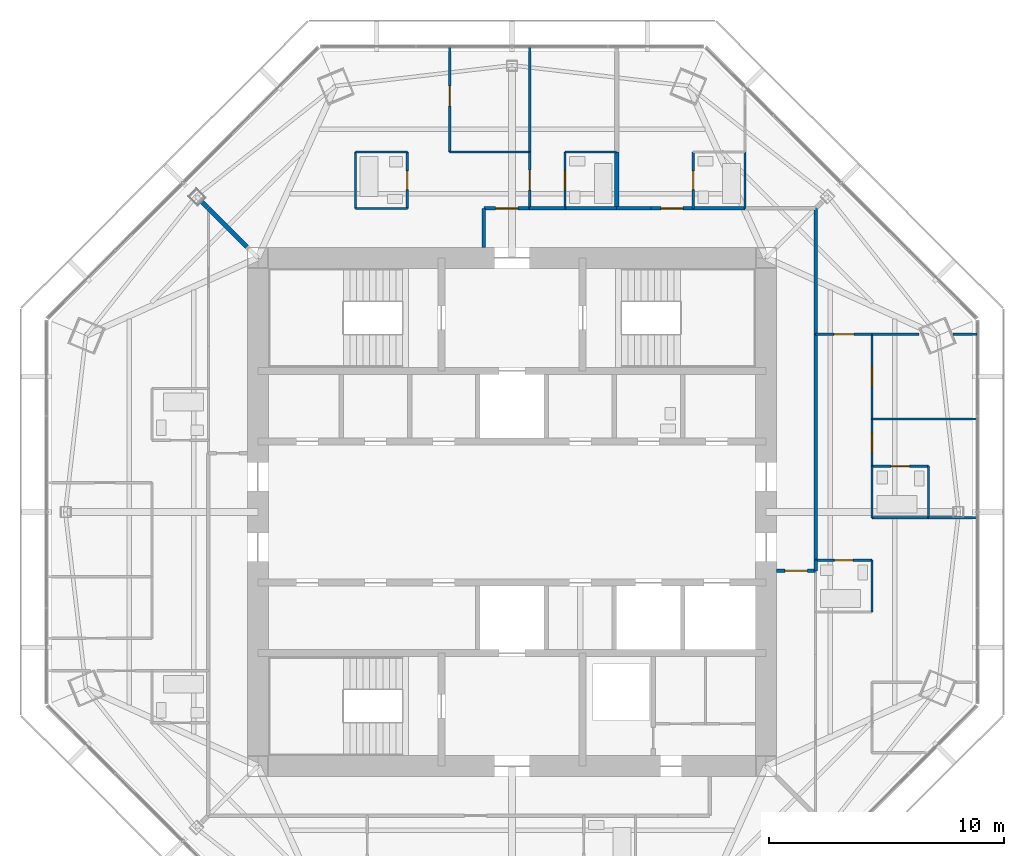
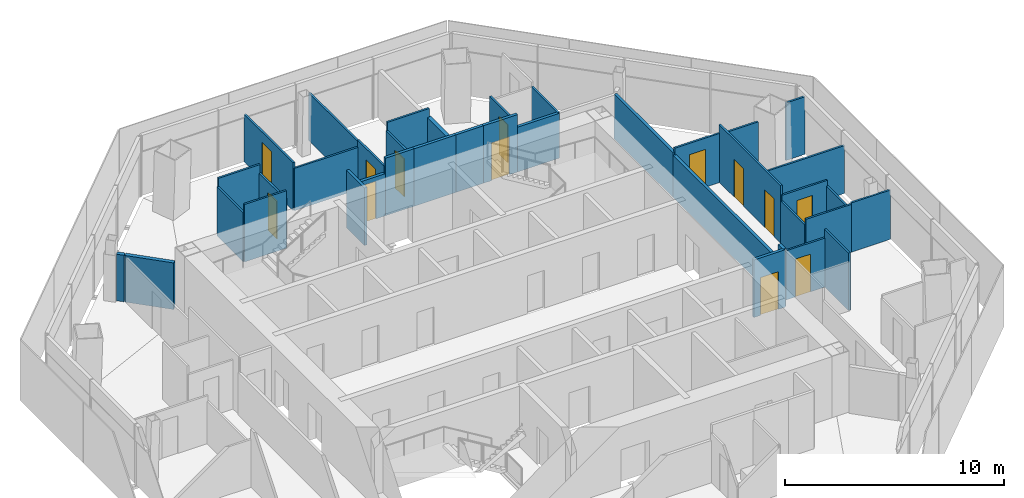
# One storey, part 11 of 15: 38 walls, 13 doors, 13 openings.
"""IFC4 building model written with IfcOpenShell, lengths in metres."""

from ifc_helpers import new_model, si_unit, direction, frame, frame_2d, origin, place, context, subcontext, project, spatial, rectangle, extrude, material, layer, layer_set, type_object, element, fill, save


model = new_model("IFC4")

# Units and contexts
model_context = context("Model", 3, precision=1e-05, world=origin(), true_north=direction((0.0, 1.0)))
body_context = subcontext(model_context, "Body", "Model", "MODEL_VIEW")
ifc_project = project(units=[si_unit("LENGTHUNIT", "METRE"), si_unit("AREAUNIT", "SQUARE_METRE"), si_unit("VOLUMEUNIT", "CUBIC_METRE"), si_unit("PLANEANGLEUNIT", "RADIAN"), si_unit("MASSUNIT", "GRAM", prefix="KILO")], contexts=[model_context])

# Site, building, storey
site_placement = place(None, origin())
site = spatial("IfcSite", under=ifc_project, at=site_placement, CompositionType="ELEMENT")
building_placement = place(site_placement, origin())
building = spatial("IfcBuilding", under=site, at=building_placement, Name="Mashrafa Tower", CompositionType="ELEMENT")
storey_placement = place(building_placement, frame((0.0, 0.0, 291.199951171875)))
storey = spatial("IfcBuildingStorey", under=building, at=storey_placement, Name="L71", CompositionType="ELEMENT", Elevation=291.199951171875)

# Walls
ifc_material_1 = material(Name="Gypsum board on steel studs", Category="steel")
ifc_layer_1 = layer(ifc_material_1, 0.199951171875)
ifc_layer_set_1 = layer_set([ifc_layer_1], Name="Acoustic partition 200 1 hr")
wall_type_1 = type_object("IfcWallType", Name="Acoustic partition 200 1 hr", PredefinedType="PARTITIONING", material=ifc_layer_set_1)
wall_1_placement = place(storey_placement, frame((4.449951171875, 15.300048828125, 0.0), z_axis=(0.0, 0.0, 1.0), x_axis=(0.0, -1.0, 0.0)))
element("IfcWall", 1, at=wall_1_placement, inside=storey, type_object=wall_type_1, Name="Acoustic wall L71-053", PredefinedType="PARTITIONING", context=body_context, shape_type="SweptSolid", body=[
    extrude(rectangle(XDim=2.400146484375, YDim=0.199951171875, at=frame_2d((1.2001953125, 0.0))), origin(), (0.0, 0.0, 1.0), 2.73046875),
])
wall_2_placement = place(storey_placement, frame((-13.17822265625, 13.17822265625, 0.0), z_axis=(0.0, 0.0, 1.0), x_axis=(0.707106781187, -0.707106781187, 0.0)))
element("IfcWall", 2, at=wall_2_placement, inside=storey, type_object=wall_type_1, Name="Acoustic wall L71-065", PredefinedType="PARTITIONING", context=body_context, shape_type="SweptSolid", body=[
    extrude(rectangle(XDim=0.358154296875, YDim=0.199951171875, at=frame_2d((0.17919921875, 0.0))), origin(), (0.0, 0.0, 1.0), 2.590576171875),
])
wall_3_placement = place(storey_placement, frame((-12.90087890625, 12.90087890625, 0.0), z_axis=(0.0, 0.0, 1.0), x_axis=(0.707106781187, -0.707106781187, 0.0)))
element("IfcWall", 3, at=wall_3_placement, inside=storey, type_object=wall_type_1, Name="Acoustic wall L71-066", PredefinedType="PARTITIONING", context=body_context, shape_type="SweptSolid", body=[
    extrude(rectangle(XDim=2.307861328125, YDim=0.199951171875, at=frame_2d((1.15380859375, 0.0))), origin(), (0.0, 0.0, 1.0), 2.590576171875),
])
ifc_material_2 = material(Name="Gypsum board on steel studs", Category="steel")
ifc_layer_2 = layer(ifc_material_2, 0.14990234375)
ifc_layer_set_2 = layer_set([ifc_layer_2], Name="Corridor partition 150 1 hr")
wall_type_2 = type_object("IfcWallType", Name="Corridor partition 150 1 hr", PredefinedType="PARTITIONING", material=ifc_layer_set_2)
wall_4_placement = place(storey_placement, frame((12.89990234375, -2.5, 0.0), z_axis=(0.0, 0.0, 1.0), x_axis=(0.0, 1.0, 0.0)))
element("IfcWall", 4, at=wall_4_placement, inside=storey, type_object=wall_type_2, Name="Corridor wall L71-001", PredefinedType="PARTITIONING", context=body_context, shape_type="SweptSolid", body=[
    extrude(rectangle(XDim=0.450927734375, YDim=0.14990234375, at=frame_2d((0.2255859375, 0.0))), origin(), (0.0, 0.0, 1.0), 3.199951171875),
])
wall_5_placement = place(storey_placement, frame((12.89990234375, 7.549072265625, 0.0), z_axis=(0.0, 0.0, 1.0), x_axis=(0.0, 1.0, 0.0)))
element("IfcWall", 5, at=wall_5_placement, inside=storey, type_object=wall_type_2, Name="Corridor wall L71-002", PredefinedType="PARTITIONING", context=body_context, shape_type="SweptSolid", body=[
    extrude(rectangle(XDim=5.350830078125, YDim=0.14990234375, at=frame_2d((2.67529296875, 0.0))), origin(), (0.0, 0.0, 1.0), 2.49658203125),
])
wall_6_placement = place(storey_placement, frame((12.89990234375, -2.051025390625, 0.0), z_axis=(0.0, 0.0, 1.0), x_axis=(0.0, 1.0, 0.0)))
element("IfcWall", 6, at=wall_6_placement, inside=storey, type_object=wall_type_2, Name="Corridor wall L71-003", PredefinedType="PARTITIONING", context=body_context, shape_type="SweptSolid", body=[
    extrude(rectangle(XDim=9.60205078125, YDim=0.14990234375, at=frame_2d((4.801025390625, 0.0))), origin(), (0.0, 0.0, 1.0), 2.349365234375),
])
wall_7_placement = place(storey_placement, frame((9.90087890625, 12.89990234375, 0.0), z_axis=(0.0, 0.0, 1.0), x_axis=(-1.0, 0.0, 0.0)))
element("IfcWall", 7, at=wall_7_placement, inside=storey, type_object=wall_type_2, Name="Corridor wall L71-005", PredefinedType="PARTITIONING", context=body_context, shape_type="SweptSolid", body=[
    extrude(rectangle(XDim=2.201904296875, YDim=0.14990234375, at=frame_2d((1.10107421875, 0.0))), origin(), (0.0, 0.0, 1.0), 2.49658203125),
])
wall_8_placement = place(storey_placement, frame((5.90087890625, 12.89990234375, 0.0), z_axis=(0.0, 0.0, 1.0), x_axis=(-1.0, 0.0, 0.0)))
element("IfcWall", 8, at=wall_8_placement, inside=storey, type_object=wall_type_2, Name="Corridor wall L71-006", PredefinedType="PARTITIONING", context=body_context, shape_type="SweptSolid", body=[
    extrude(rectangle(XDim=1.451904296875, YDim=0.14990234375, at=frame_2d((0.72607421875, 0.0))), origin(), (0.0, 0.0, 1.0), 3.199951171875),
])

# Wall, opening, door
wall_9_placement = place(storey_placement, frame((7.700927734375, 12.89990234375, 0.0), z_axis=(0.0, 0.0, 1.0), x_axis=(-1.0, 0.0, 0.0)))
wall_9 = element("IfcWall", 9, at=wall_9_placement, inside=storey, type_object=wall_type_2, Name="Corridor wall L71-007", PredefinedType="PARTITIONING", context=body_context, shape_type="SweptSolid", body=[
    extrude(rectangle(XDim=1.802001953125, YDim=0.14990234375, at=frame_2d((0.90087890625, 0.0))), origin(), (0.0, 0.0, 1.0), 3.199951171875),
])
opening_1_placement = place(wall_9_placement, frame((0.426025390625, 0.0, 0.0)))
opening_1 = element("IfcOpeningElement", 10, at=opening_1_placement, cuts=wall_9, Name="Opening 71.011", PredefinedType="OPENING", context=body_context, shape_type="SweptSolid", body=[
    extrude(rectangle(XDim=0.949951171875, YDim=2.10009765625, at=frame_2d((0.47509765625, 1.050048828125))), frame((0.0, 0.0849609375, 0.0), z_axis=(0.0, -1.0, 0.0), x_axis=(1.0, 0.0, 0.0)), (0.0, 0.0, 1.0), 0.169921875),
])
ifc_material_3 = material(Name="Steel door", Category="steel")
door_type_1 = type_object("IfcDoorType", Name="Residence entrance door 950 x 2100 20 min", OperationType="USERDEFINED", PredefinedType="DOOR", material=ifc_material_3)
door_1_placement = place(opening_1_placement, frame((0.949951171875, 0.0, 0.0), z_axis=(0.0, 0.0, 1.0), x_axis=(-1.0, 0.0, 0.0)))
door_1 = element("IfcDoor", 11, at=door_1_placement, inside=storey, type_object=door_type_1, Name="Apartment 7102 Living Room door", OperationType="SINGLE_SWING_LEFT", OverallHeight=2.10009765625, OverallWidth=0.949951171875, PredefinedType="DOOR", context=body_context, shape_type="SweptSolid", body=[
    extrude(rectangle(XDim=0.949951171875, YDim=2.10009765625, at=frame_2d((0.47509765625, 1.050048828125))), frame((0.0, 0.02490234375, 0.0), z_axis=(0.0, -1.0, 0.0), x_axis=(1.0, 0.0, 0.0)), (0.0, 0.0, 1.0), 0.050048828125),
])
fill(opening_1, door_1)

# Walls
wall_10_placement = place(storey_placement, frame((4.450927734375, 12.89990234375, 0.0), z_axis=(0.0, 0.0, 1.0), x_axis=(-1.0, 0.0, 0.0)))
element("IfcWall", 12, at=wall_10_placement, inside=storey, type_object=wall_type_2, Name="Corridor wall L71-008", PredefinedType="PARTITIONING", context=body_context, shape_type="SweptSolid", body=[
    extrude(rectangle(XDim=2.201904296875, YDim=0.14990234375, at=frame_2d((1.10107421875, 0.0))), origin(), (0.0, 0.0, 1.0), 3.199951171875),
])
wall_11_placement = place(storey_placement, frame((2.2509765625, 12.89990234375, 0.0), z_axis=(0.0, 0.0, 1.0), x_axis=(-1.0, 0.0, 0.0)))
element("IfcWall", 13, at=wall_11_placement, inside=storey, type_object=wall_type_2, Name="Corridor wall L71-009", PredefinedType="PARTITIONING", context=body_context, shape_type="SweptSolid", body=[
    extrude(rectangle(XDim=1.501953125, YDim=0.14990234375, at=frame_2d((0.7509765625, 0.0))), origin(), (0.0, 0.0, 1.0), 3.199951171875),
])

# Wall, opening, door
wall_12_placement = place(storey_placement, frame((0.7509765625, 12.89990234375, 0.0), z_axis=(0.0, 0.0, 1.0), x_axis=(-1.0, 0.0, 0.0)))
wall_12 = element("IfcWall", 14, at=wall_12_placement, inside=storey, type_object=wall_type_2, Name="Corridor wall L71-010", PredefinedType="PARTITIONING", context=body_context, shape_type="SweptSolid", body=[
    extrude(rectangle(XDim=1.950927734375, YDim=0.14990234375, at=frame_2d((0.9755859375, 0.0))), origin(), (0.0, 0.0, 1.0), 2.349365234375),
])
opening_2_placement = place(wall_12_placement, frame((0.50048828125, 0.0, 0.0)))
opening_2 = element("IfcOpeningElement", 15, at=opening_2_placement, cuts=wall_12, Name="Opening 71.016", PredefinedType="OPENING", context=body_context, shape_type="SweptSolid", body=[
    extrude(rectangle(XDim=0.949951171875, YDim=2.10009765625, at=frame_2d((0.47509765625, 1.050048828125))), frame((0.0, 0.0849609375, 0.0), z_axis=(0.0, -1.0, 0.0), x_axis=(1.0, 0.0, 0.0)), (0.0, 0.0, 1.0), 0.169921875),
])
door_2_placement = place(opening_2_placement, frame((0.949951171875, 0.0, 0.0), z_axis=(0.0, 0.0, 1.0), x_axis=(-1.0, 0.0, 0.0)))
door_2 = element("IfcDoor", 16, at=door_2_placement, inside=storey, type_object=door_type_1, Name="Apartment 7103 Living Room door", OperationType="SINGLE_SWING_RIGHT", OverallHeight=2.10009765625, OverallWidth=0.949951171875, PredefinedType="DOOR", context=body_context, shape_type="SweptSolid", body=[
    extrude(rectangle(XDim=0.949951171875, YDim=2.10009765625, at=frame_2d((0.47509765625, 1.050048828125))), frame((0.0, 0.02490234375, 0.0), z_axis=(0.0, -1.0, 0.0), x_axis=(1.0, 0.0, 0.0)), (0.0, 0.0, 1.0), 0.050048828125),
])
fill(opening_2, door_2)

# Wall
wall_13_placement = place(storey_placement, frame((-1.199951171875, 12.89990234375, 0.0), z_axis=(0.0, 0.0, 1.0), x_axis=(0.0, -1.0, 0.0)))
element("IfcWall", 17, at=wall_13_placement, inside=storey, type_object=wall_type_2, Name="Corridor wall L71-011", PredefinedType="PARTITIONING", context=body_context, shape_type="SweptSolid", body=[
    extrude(rectangle(XDim=1.64990234375, YDim=0.14990234375, at=frame_2d((0.824951171875, 0.0))), origin(), (0.0, 0.0, 1.0), 3.199951171875),
])

# Wall, opening, door
wall_14_placement = place(storey_placement, frame((11.25, -2.5, 0.0), z_axis=(0.0, 0.0, 1.0), x_axis=(1.0, 0.0, 0.0)))
wall_14 = element("IfcWall", 18, at=wall_14_placement, inside=storey, type_object=wall_type_2, Name="Corridor wall L71-012", PredefinedType="PARTITIONING", context=body_context, shape_type="SweptSolid", body=[
    extrude(rectangle(XDim=1.64990234375, YDim=0.14990234375, at=frame_2d((0.824951171875, 0.0))), origin(), (0.0, 0.0, 1.0), 3.199951171875),
])
opening_3_placement = place(wall_14_placement, frame((0.35009765625, 0.0, 0.0)))
opening_3 = element("IfcOpeningElement", 19, at=opening_3_placement, cuts=wall_14, Name="Opening 71.028", PredefinedType="OPENING", context=body_context, shape_type="SweptSolid", body=[
    extrude(rectangle(XDim=0.949951171875, YDim=2.10009765625, at=frame_2d((0.47509765625, 1.050048828125))), frame((0.0, 0.0849609375, 0.0), z_axis=(0.0, -1.0, 0.0), x_axis=(1.0, 0.0, 0.0)), (0.0, 0.0, 1.0), 0.169921875),
])
door_3_placement = place(opening_3_placement, origin())
door_3 = element("IfcDoor", 20, at=door_3_placement, inside=storey, type_object=door_type_1, Name="Apartment 7101 Entrance Hall door", OperationType="SINGLE_SWING_RIGHT", OverallHeight=2.10009765625, OverallWidth=0.949951171875, PredefinedType="DOOR", context=body_context, shape_type="SweptSolid", body=[
    extrude(rectangle(XDim=0.949951171875, YDim=2.10009765625, at=frame_2d((0.47509765625, 1.050048828125))), frame((0.0, 0.02490234375, 0.0), z_axis=(0.0, -1.0, 0.0), x_axis=(1.0, 0.0, 0.0)), (0.0, 0.0, 1.0), 0.050048828125),
])
fill(opening_3, door_3)

# Wall
ifc_material_4 = material(Name="Gypsum board on steel studs", Category="steel")
ifc_layer_3 = layer(ifc_material_4, 0.10009765625)
ifc_layer_set_3 = layer_set([ifc_layer_3], Name="Partition 100")
wall_type_3 = type_object("IfcWallType", Name="Partition 100", PredefinedType="PARTITIONING", material=ifc_layer_set_3)
wall_15_placement = place(storey_placement, frame((15.300048828125, -4.25, 0.0), z_axis=(0.0, 0.0, 1.0), x_axis=(0.0, 1.0, 0.0)))
element("IfcWall", 21, at=wall_15_placement, inside=storey, type_object=wall_type_3, Name="Partition wall L71-032", PredefinedType="PARTITIONING", context=body_context, shape_type="SweptSolid", body=[
    extrude(rectangle(XDim=2.199951171875, YDim=0.10009765625, at=frame_2d((1.10009765625, 0.0))), origin(), (0.0, 0.0, 1.0), 3.199951171875),
])

# Wall, opening, door
wall_16_placement = place(storey_placement, frame((15.300048828125, -2.050048828125, 0.0), z_axis=(0.0, 0.0, 1.0), x_axis=(-1.0, 0.0, 0.0)))
wall_16 = element("IfcWall", 22, at=wall_16_placement, inside=storey, type_object=wall_type_3, Name="Partition wall L71-033", PredefinedType="PARTITIONING", context=body_context, shape_type="SweptSolid", body=[
    extrude(rectangle(XDim=2.400146484375, YDim=0.10009765625, at=frame_2d((1.2001953125, 0.0))), origin(), (0.0, 0.0, 1.0), 2.73046875),
])
opening_4_placement = place(wall_16_placement, frame((0.800048828125, 0.0, 0.0)))
opening_4 = element("IfcOpeningElement", 23, at=opening_4_placement, cuts=wall_16, Name="Opening 71.003", PredefinedType="OPENING", context=body_context, shape_type="SweptSolid", body=[
    extrude(rectangle(XDim=0.800048828125, YDim=2.10009765625, at=frame_2d((0.39990234375, 1.050048828125))), frame((0.0, 0.06005859375, 0.0), z_axis=(0.0, -1.0, 0.0), x_axis=(1.0, 0.0, 0.0)), (0.0, 0.0, 1.0), 0.1201171875),
])
ifc_material_5 = material(Name="Timber door", Category="wood")
door_type_2 = type_object("IfcDoorType", Name="Bathroom door 800 x 2100", OperationType="USERDEFINED", PredefinedType="DOOR", material=ifc_material_5)
door_4_placement = place(opening_4_placement, origin())
door_4 = element("IfcDoor", 24, at=door_4_placement, inside=storey, type_object=door_type_2, Name="Apartment 7101 Bathroom door", OperationType="SINGLE_SWING_RIGHT", OverallHeight=2.10009765625, OverallWidth=0.800048828125, PredefinedType="DOOR", context=body_context, shape_type="SweptSolid", body=[
    extrude(rectangle(XDim=0.800048828125, YDim=2.10009765625, at=frame_2d((0.39990234375, 1.050048828125))), frame((0.0, 0.02490234375, 0.0), z_axis=(0.0, -1.0, 0.0), x_axis=(1.0, 0.0, 0.0)), (0.0, 0.0, 1.0), 0.050048828125),
])
fill(opening_4, door_4)

# Wall
wall_17_placement = place(storey_placement, frame((17.699951171875, -0.25, 0.0), z_axis=(0.0, 0.0, 1.0), x_axis=(0.0, 1.0, 0.0)))
element("IfcWall", 25, at=wall_17_placement, inside=storey, type_object=wall_type_3, Name="Partition wall L71-035", PredefinedType="PARTITIONING", context=body_context, shape_type="SweptSolid", body=[
    extrude(rectangle(XDim=2.199951171875, YDim=0.10009765625, at=frame_2d((1.10009765625, 0.0))), origin(), (0.0, 0.0, 1.0), 2.349365234375),
])

# Wall, opening, door
wall_18_placement = place(storey_placement, frame((17.699951171875, 1.949951171875, 0.0), z_axis=(0.0, 0.0, 1.0), x_axis=(-1.0, 0.0, 0.0)))
wall_18 = element("IfcWall", 26, at=wall_18_placement, inside=storey, type_object=wall_type_3, Name="Partition wall L71-036", PredefinedType="PARTITIONING", context=body_context, shape_type="SweptSolid", body=[
    extrude(rectangle(XDim=2.39990234375, YDim=0.10009765625, at=frame_2d((1.199951171875, 0.0))), origin(), (0.0, 0.0, 1.0), 2.661865234375),
])
opening_5_placement = place(wall_18_placement, frame((0.800048828125, 0.0, 0.0)))
opening_5 = element("IfcOpeningElement", 27, at=opening_5_placement, cuts=wall_18, Name="Opening 71.004", PredefinedType="OPENING", context=body_context, shape_type="SweptSolid", body=[
    extrude(rectangle(XDim=0.800048828125, YDim=2.10009765625, at=frame_2d((0.39990234375, 1.050048828125))), frame((0.0, 0.06005859375, 0.0), z_axis=(0.0, -1.0, 0.0), x_axis=(1.0, 0.0, 0.0)), (0.0, 0.0, 1.0), 0.1201171875),
])
door_5_placement = place(opening_5_placement, origin())
door_5 = element("IfcDoor", 28, at=door_5_placement, inside=storey, type_object=door_type_2, Name="Apartment 7101 En-suite Bathroom door", OperationType="SINGLE_SWING_RIGHT", OverallHeight=2.10009765625, OverallWidth=0.800048828125, PredefinedType="DOOR", context=body_context, shape_type="SweptSolid", body=[
    extrude(rectangle(XDim=0.800048828125, YDim=2.10009765625, at=frame_2d((0.39990234375, 1.050048828125))), frame((0.0, 0.02490234375, 0.0), z_axis=(0.0, -1.0, 0.0), x_axis=(1.0, 0.0, 0.0)), (0.0, 0.0, 1.0), 0.050048828125),
])
fill(opening_5, door_5)

# Walls
wall_19_placement = place(storey_placement, frame((15.300048828125, 1.949951171875, 0.0), z_axis=(0.0, 0.0, 1.0), x_axis=(0.0, -1.0, 0.0)))
element("IfcWall", 29, at=wall_19_placement, inside=storey, type_object=wall_type_3, Name="Partition wall L71-037", PredefinedType="PARTITIONING", context=body_context, shape_type="SweptSolid", body=[
    extrude(rectangle(XDim=2.199951171875, YDim=0.10009765625, at=frame_2d((1.10009765625, 0.0))), origin(), (0.0, 0.0, 1.0), 2.349365234375),
])
wall_20_placement = place(storey_placement, frame((15.300048828125, -0.25, 0.0), z_axis=(0.0, 0.0, 1.0), x_axis=(1.0, 0.0, 0.0)))
element("IfcWall", 30, at=wall_20_placement, inside=storey, type_object=wall_type_3, Name="Partition wall L71-038", PredefinedType="PARTITIONING", context=body_context, shape_type="SweptSolid", body=[
    extrude(rectangle(XDim=2.39990234375, YDim=0.10009765625, at=frame_2d((1.199951171875, 0.0))), origin(), (0.0, 0.0, 1.0), 2.661865234375),
])
wall_21_placement = place(storey_placement, frame((19.759033203125, 3.949951171875, 0.0), z_axis=(0.0, 0.0, 1.0), x_axis=(-1.0, 0.0, 0.0)))
element("IfcWall", 31, at=wall_21_placement, inside=storey, type_object=wall_type_3, Name="Partition wall L71-039", PredefinedType="PARTITIONING", context=body_context, shape_type="SweptSolid", body=[
    extrude(rectangle(XDim=4.458984375, YDim=0.10009765625, at=frame_2d((2.2294921875, 0.0))), origin(), (0.0, 0.0, 1.0), 2.661865234375),
])

# Wall, openings, doors
wall_22_placement = place(storey_placement, frame((15.300048828125, 1.949951171875, 0.0), z_axis=(0.0, 0.0, 1.0), x_axis=(0.0, 1.0, 0.0)))
wall_22 = element("IfcWall", 32, at=wall_22_placement, inside=storey, type_object=wall_type_3, Name="Partition wall L71-040", PredefinedType="PARTITIONING", context=body_context, shape_type="SweptSolid", body=[
    extrude(rectangle(XDim=5.60009765625, YDim=0.10009765625, at=frame_2d((2.800048828125, 0.0))), origin(), (0.0, 0.0, 1.0), 3.199951171875),
])
opening_6_placement = place(wall_22_placement, frame((0.574951171875, 0.0, 0.0)))
opening_6 = element("IfcOpeningElement", 33, at=opening_6_placement, cuts=wall_22, Name="Opening 71.005", PredefinedType="OPENING", context=body_context, shape_type="SweptSolid", body=[
    extrude(rectangle(XDim=0.85009765625, YDim=2.10009765625, at=frame_2d((0.425048828125, 1.050048828125))), frame((0.0, 0.06005859375, 0.0), z_axis=(0.0, -1.0, 0.0), x_axis=(1.0, 0.0, 0.0)), (0.0, 0.0, 1.0), 0.1201171875),
])
opening_7_placement = place(wall_22_placement, frame((3.375, 0.0, 0.0)))
opening_7 = element("IfcOpeningElement", 34, at=opening_7_placement, cuts=wall_22, Name="Opening 71.006", PredefinedType="OPENING", context=body_context, shape_type="SweptSolid", body=[
    extrude(rectangle(XDim=0.85009765625, YDim=2.10009765625, at=frame_2d((0.425048828125, 1.050048828125))), frame((0.0, 0.06005859375, 0.0), z_axis=(0.0, -1.0, 0.0), x_axis=(1.0, 0.0, 0.0)), (0.0, 0.0, 1.0), 0.1201171875),
])
ifc_material_6 = material(Name="Timber door", Category="wood")
door_type_3 = type_object("IfcDoorType", Name="Bedroom door 850 x 2100", OperationType="USERDEFINED", PredefinedType="DOOR", material=ifc_material_6)
door_6_placement = place(opening_6_placement, frame((0.85009765625, 0.0, 0.0), z_axis=(0.0, 0.0, 1.0), x_axis=(-1.0, 0.0, 0.0)))
door_6 = element("IfcDoor", 35, at=door_6_placement, inside=storey, type_object=door_type_3, Name="Apartment 7101 Bedroom 1 door", OperationType="SINGLE_SWING_LEFT", OverallHeight=2.10009765625, OverallWidth=0.85009765625, PredefinedType="DOOR", context=body_context, shape_type="SweptSolid", body=[
    extrude(rectangle(XDim=0.85009765625, YDim=2.10009765625, at=frame_2d((0.425048828125, 1.050048828125))), frame((0.0, 0.02490234375, 0.0), z_axis=(0.0, -1.0, 0.0), x_axis=(1.0, 0.0, 0.0)), (0.0, 0.0, 1.0), 0.050048828125),
])
fill(opening_6, door_6)
door_7_placement = place(opening_7_placement, frame((0.85009765625, 0.0, 0.0), z_axis=(0.0, 0.0, 1.0), x_axis=(-1.0, 0.0, 0.0)))
door_7 = element("IfcDoor", 36, at=door_7_placement, inside=storey, type_object=door_type_3, Name="Apartment 7101 Bedroom 2 door", OperationType="SINGLE_SWING_LEFT", OverallHeight=2.10009765625, OverallWidth=0.85009765625, PredefinedType="DOOR", context=body_context, shape_type="SweptSolid", body=[
    extrude(rectangle(XDim=0.85009765625, YDim=2.10009765625, at=frame_2d((0.425048828125, 1.050048828125))), frame((0.0, 0.02490234375, 0.0), z_axis=(0.0, -1.0, 0.0), x_axis=(1.0, 0.0, 0.0)), (0.0, 0.0, 1.0), 0.050048828125),
])
fill(opening_7, door_7)

# Walls
wall_23_placement = place(storey_placement, frame((17.699951171875, -0.25, 0.0), z_axis=(0.0, 0.0, 1.0), x_axis=(1.0, 0.0, 0.0)))
element("IfcWall", 37, at=wall_23_placement, inside=storey, type_object=wall_type_3, Name="Partition wall L71-041", PredefinedType="PARTITIONING", context=body_context, shape_type="SweptSolid", body=[
    extrude(rectangle(XDim=2.05908203125, YDim=0.10009765625, at=frame_2d((1.029541015625, 0.0))), origin(), (0.0, 0.0, 1.0), 2.740478515625),
])
wall_24_placement = place(storey_placement, frame((19.759033203125, 7.550048828125, 0.0), z_axis=(0.0, 0.0, 1.0), x_axis=(-1.0, 0.0, 0.0)))
element("IfcWall", 38, at=wall_24_placement, inside=storey, type_object=wall_type_3, Name="Partition wall L71-042", PredefinedType="PARTITIONING", context=body_context, shape_type="SweptSolid", body=[
    extrude(rectangle(XDim=1.011962890625, YDim=0.10009765625, at=frame_2d((0.505859375, 0.0))), origin(), (0.0, 0.0, 1.0), 3.199951171875),
])
wall_25_placement = place(storey_placement, frame((17.2939453125, 7.550048828125, 0.0), z_axis=(0.0, 0.0, 1.0), x_axis=(-1.0, 0.0, 0.0)))
element("IfcWall", 39, at=wall_25_placement, inside=storey, type_object=wall_type_3, Name="Partition wall L71-043", PredefinedType="PARTITIONING", context=body_context, shape_type="SweptSolid", body=[
    extrude(rectangle(XDim=1.993896484375, YDim=0.10009765625, at=frame_2d((0.9970703125, 0.0))), origin(), (0.0, 0.0, 1.0), 2.661865234375),
])

# Wall, opening, door
wall_26_placement = place(storey_placement, frame((12.89990234375, 7.550048828125, 0.0), z_axis=(0.0, 0.0, 1.0), x_axis=(1.0, 0.0, 0.0)))
wall_26 = element("IfcWall", 40, at=wall_26_placement, inside=storey, type_object=wall_type_3, Name="Partition wall L71-045", PredefinedType="PARTITIONING", context=body_context, shape_type="SweptSolid", body=[
    extrude(rectangle(XDim=2.401123046875, YDim=0.10009765625, at=frame_2d((1.20068359375, 0.0))), origin(), (0.0, 0.0, 1.0), 2.73046875),
])
opening_8_placement = place(wall_26_placement, frame((0.775390625, 0.0, 0.0)))
opening_8 = element("IfcOpeningElement", 41, at=opening_8_placement, cuts=wall_26, Name="Opening 71.007", PredefinedType="OPENING", context=body_context, shape_type="SweptSolid", body=[
    extrude(rectangle(XDim=0.85009765625, YDim=2.10009765625, at=frame_2d((0.425048828125, 1.050048828125))), frame((0.0, 0.06005859375, 0.0), z_axis=(0.0, -1.0, 0.0), x_axis=(1.0, 0.0, 0.0)), (0.0, 0.0, 1.0), 0.1201171875),
])
door_8_placement = place(opening_8_placement, origin())
door_8 = element("IfcDoor", 42, at=door_8_placement, inside=storey, type_object=door_type_3, Name="Apartment 7101 Bedroom 3 door", OperationType="SINGLE_SWING_LEFT", OverallHeight=2.10009765625, OverallWidth=0.85009765625, PredefinedType="DOOR", context=body_context, shape_type="SweptSolid", body=[
    extrude(rectangle(XDim=0.85009765625, YDim=2.10009765625, at=frame_2d((0.425048828125, 1.050048828125))), frame((0.0, 0.02490234375, 0.0), z_axis=(0.0, -1.0, 0.0), x_axis=(1.0, 0.0, 0.0)), (0.0, 0.0, 1.0), 0.050048828125),
])
fill(opening_8, door_8)

# Wall
wall_27_placement = place(storey_placement, frame((9.89990234375, 15.301025390625, 0.0), z_axis=(0.0, 0.0, 1.0), x_axis=(0.0, -1.0, 0.0)))
element("IfcWall", 43, at=wall_27_placement, inside=storey, type_object=wall_type_3, Name="Partition wall L71-049", PredefinedType="PARTITIONING", context=body_context, shape_type="SweptSolid", body=[
    extrude(rectangle(XDim=2.401123046875, YDim=0.10009765625, at=frame_2d((1.20068359375, 0.0))), origin(), (0.0, 0.0, 1.0), 2.49658203125),
])

# Wall, opening, door
wall_28_placement = place(storey_placement, frame((7.699951171875, 15.300048828125, 0.0), z_axis=(0.0, 0.0, 1.0), x_axis=(0.0, -1.0, 0.0)))
wall_28 = element("IfcWall", 44, at=wall_28_placement, inside=storey, type_object=wall_type_3, Name="Partition wall L71-052", PredefinedType="PARTITIONING", context=body_context, shape_type="SweptSolid", body=[
    extrude(rectangle(XDim=2.400146484375, YDim=0.10009765625, at=frame_2d((1.2001953125, 0.0))), origin(), (0.0, 0.0, 1.0), 2.73046875),
])
opening_9_placement = place(wall_28_placement, frame((0.800048828125, 0.0, 0.0)))
opening_9 = element("IfcOpeningElement", 45, at=opening_9_placement, cuts=wall_28, Name="Opening 71.010", PredefinedType="OPENING", context=body_context, shape_type="SweptSolid", body=[
    extrude(rectangle(XDim=0.800048828125, YDim=2.10009765625, at=frame_2d((0.39990234375, 1.050048828125))), frame((0.0, 0.06005859375, 0.0), z_axis=(0.0, -1.0, 0.0), x_axis=(1.0, 0.0, 0.0)), (0.0, 0.0, 1.0), 0.1201171875),
])
door_9_placement = place(opening_9_placement, origin())
door_9 = element("IfcDoor", 46, at=door_9_placement, inside=storey, type_object=door_type_2, Name="Apartment 7102 Bathroom door", OperationType="SINGLE_SWING_RIGHT", OverallHeight=2.10009765625, OverallWidth=0.800048828125, PredefinedType="DOOR", context=body_context, shape_type="SweptSolid", body=[
    extrude(rectangle(XDim=0.800048828125, YDim=2.10009765625, at=frame_2d((0.39990234375, 1.050048828125))), frame((0.0, 0.02490234375, 0.0), z_axis=(0.0, -1.0, 0.0), x_axis=(1.0, 0.0, 0.0)), (0.0, 0.0, 1.0), 0.050048828125),
])
fill(opening_9, door_9)

# Walls
wall_29_placement = place(storey_placement, frame((-6.64990234375, 12.89990234375, 0.0), z_axis=(0.0, 0.0, 1.0), x_axis=(0.0, 1.0, 0.0)))
element("IfcWall", 47, at=wall_29_placement, inside=storey, type_object=wall_type_3, Name="Partition wall L71-055", PredefinedType="PARTITIONING", context=body_context, shape_type="SweptSolid", body=[
    extrude(rectangle(XDim=2.400146484375, YDim=0.10009765625, at=frame_2d((1.2001953125, 0.0))), origin(), (0.0, 0.0, 1.0), 2.73046875),
])
wall_30_placement = place(storey_placement, frame((-6.64990234375, 12.89990234375, 0.0), z_axis=(0.0, 0.0, 1.0), x_axis=(1.0, 0.0, 0.0)))
element("IfcWall", 48, at=wall_30_placement, inside=storey, type_object=wall_type_3, Name="Partition wall L71-056", PredefinedType="PARTITIONING", context=body_context, shape_type="SweptSolid", body=[
    extrude(rectangle(XDim=2.199951171875, YDim=0.10009765625, at=frame_2d((1.10009765625, 0.0))), origin(), (0.0, 0.0, 1.0), 3.199951171875),
])

# Wall, opening, door
wall_31_placement = place(storey_placement, frame((-4.449951171875, 12.89990234375, 0.0), z_axis=(0.0, 0.0, 1.0), x_axis=(0.0, 1.0, 0.0)))
wall_31 = element("IfcWall", 49, at=wall_31_placement, inside=storey, type_object=wall_type_3, Name="Partition wall L71-057", PredefinedType="PARTITIONING", context=body_context, shape_type="SweptSolid", body=[
    extrude(rectangle(XDim=2.400146484375, YDim=0.10009765625, at=frame_2d((1.2001953125, 0.0))), origin(), (0.0, 0.0, 1.0), 2.73046875),
])
opening_10_placement = place(wall_31_placement, frame((0.800048828125, 0.0, 0.0)))
opening_10 = element("IfcOpeningElement", 50, at=opening_10_placement, cuts=wall_31, Name="Opening 71.012", PredefinedType="OPENING", context=body_context, shape_type="SweptSolid", body=[
    extrude(rectangle(XDim=0.800048828125, YDim=2.10009765625, at=frame_2d((0.39990234375, 1.050048828125))), frame((0.0, 0.06005859375, 0.0), z_axis=(0.0, -1.0, 0.0), x_axis=(1.0, 0.0, 0.0)), (0.0, 0.0, 1.0), 0.1201171875),
])
door_10_placement = place(opening_10_placement, origin())
door_10 = element("IfcDoor", 51, at=door_10_placement, inside=storey, type_object=door_type_2, Name="Apartment 7103 Bathroom door", OperationType="SINGLE_SWING_LEFT", OverallHeight=2.10009765625, OverallWidth=0.800048828125, PredefinedType="DOOR", context=body_context, shape_type="SweptSolid", body=[
    extrude(rectangle(XDim=0.800048828125, YDim=2.10009765625, at=frame_2d((0.39990234375, 1.050048828125))), frame((0.0, 0.02490234375, 0.0), z_axis=(0.0, -1.0, 0.0), x_axis=(1.0, 0.0, 0.0)), (0.0, 0.0, 1.0), 0.050048828125),
])
fill(opening_10, door_10)

# Walls
wall_32_placement = place(storey_placement, frame((-4.449951171875, 15.300048828125, 0.0), z_axis=(0.0, 0.0, 1.0), x_axis=(-1.0, 0.0, 0.0)))
element("IfcWall", 52, at=wall_32_placement, inside=storey, type_object=wall_type_3, Name="Partition wall L71-058", PredefinedType="PARTITIONING", context=body_context, shape_type="SweptSolid", body=[
    extrude(rectangle(XDim=2.199951171875, YDim=0.10009765625, at=frame_2d((1.10009765625, 0.0))), origin(), (0.0, 0.0, 1.0), 3.199951171875),
])
wall_33_placement = place(storey_placement, frame((0.75, 15.300048828125, 0.0), z_axis=(0.0, 0.0, 1.0), x_axis=(0.0, 1.0, 0.0)))
element("IfcWall", 53, at=wall_33_placement, inside=storey, type_object=wall_type_3, Name="Partition wall L71-059", PredefinedType="PARTITIONING", context=body_context, shape_type="SweptSolid", body=[
    extrude(rectangle(XDim=4.458984375, YDim=0.10009765625, at=frame_2d((2.2294921875, 0.0))), origin(), (0.0, 0.0, 1.0), 2.661865234375),
])

# Wall, opening, door
wall_34_placement = place(storey_placement, frame((-2.64990234375, 19.760986328125, 0.0), z_axis=(0.0, 0.0, 1.0), x_axis=(0.0, -1.0, 0.0)))
wall_34 = element("IfcWall", 54, at=wall_34_placement, inside=storey, type_object=wall_type_3, Name="Partition wall L71-060", PredefinedType="PARTITIONING", context=body_context, shape_type="SweptSolid", body=[
    extrude(rectangle(XDim=4.4609375, YDim=0.10009765625, at=frame_2d((2.23046875, 0.0))), origin(), (0.0, 0.0, 1.0), 2.661865234375),
])
opening_11_placement = place(wall_34_placement, frame((1.66748046875, 0.0, 0.0)))
opening_11 = element("IfcOpeningElement", 55, at=opening_11_placement, cuts=wall_34, Name="Opening 71.013", PredefinedType="OPENING", context=body_context, shape_type="SweptSolid", body=[
    extrude(rectangle(XDim=0.85009765625, YDim=2.10009765625, at=frame_2d((0.425048828125, 1.050048828125))), frame((0.0, 0.06005859375, 0.0), z_axis=(0.0, -1.0, 0.0), x_axis=(1.0, 0.0, 0.0)), (0.0, 0.0, 1.0), 0.1201171875),
])
door_11_placement = place(opening_11_placement, origin())
door_11 = element("IfcDoor", 56, at=door_11_placement, inside=storey, type_object=door_type_3, Name="Apartment 7103 Bedroom 1 door", OperationType="SINGLE_SWING_LEFT", OverallHeight=2.10009765625, OverallWidth=0.85009765625, PredefinedType="DOOR", context=body_context, shape_type="SweptSolid", body=[
    extrude(rectangle(XDim=0.85009765625, YDim=2.10009765625, at=frame_2d((0.425048828125, 1.050048828125))), frame((0.0, 0.02490234375, 0.0), z_axis=(0.0, -1.0, 0.0), x_axis=(1.0, 0.0, 0.0)), (0.0, 0.0, 1.0), 0.050048828125),
])
fill(opening_11, door_11)

# Walls
wall_35_placement = place(storey_placement, frame((-2.64990234375, 15.300048828125, 0.0), z_axis=(0.0, 0.0, 1.0), x_axis=(1.0, 0.0, 0.0)))
element("IfcWall", 57, at=wall_35_placement, inside=storey, type_object=wall_type_3, Name="Partition wall L71-061", PredefinedType="PARTITIONING", context=body_context, shape_type="SweptSolid", body=[
    extrude(rectangle(XDim=3.39990234375, YDim=0.10009765625, at=frame_2d((1.699951171875, 0.0))), origin(), (0.0, 0.0, 1.0), 2.349365234375),
])
wall_36_placement = place(storey_placement, frame((4.449951171875, 15.300048828125, 0.0), z_axis=(0.0, 0.0, 1.0), x_axis=(-1.0, 0.0, 0.0)))
element("IfcWall", 58, at=wall_36_placement, inside=storey, type_object=wall_type_3, Name="Partition wall L71-062", PredefinedType="PARTITIONING", context=body_context, shape_type="SweptSolid", body=[
    extrude(rectangle(XDim=2.199951171875, YDim=0.10009765625, at=frame_2d((1.10009765625, 0.0))), origin(), (0.0, 0.0, 1.0), 3.199951171875),
])

# Wall, opening, door
wall_37_placement = place(storey_placement, frame((2.25, 15.300048828125, 0.0), z_axis=(0.0, 0.0, 1.0), x_axis=(0.0, -1.0, 0.0)))
wall_37 = element("IfcWall", 59, at=wall_37_placement, inside=storey, type_object=wall_type_3, Name="Partition wall L71-063", PredefinedType="PARTITIONING", context=body_context, shape_type="SweptSolid", body=[
    extrude(rectangle(XDim=2.400146484375, YDim=0.10009765625, at=frame_2d((1.2001953125, 0.0))), origin(), (0.0, 0.0, 1.0), 2.73046875),
])
opening_12_placement = place(wall_37_placement, frame((0.800048828125, 0.0, 0.0)))
opening_12 = element("IfcOpeningElement", 60, at=opening_12_placement, cuts=wall_37, Name="Opening 71.014", PredefinedType="OPENING", context=body_context, shape_type="SweptSolid", body=[
    extrude(rectangle(XDim=0.800048828125, YDim=2.10009765625, at=frame_2d((0.39990234375, 1.050048828125))), frame((0.0, 0.06005859375, 0.0), z_axis=(0.0, -1.0, 0.0), x_axis=(1.0, 0.0, 0.0)), (0.0, 0.0, 1.0), 0.1201171875),
])
door_12_placement = place(opening_12_placement, origin())
door_12 = element("IfcDoor", 61, at=door_12_placement, inside=storey, type_object=door_type_2, Name="Apartment 7103 En-suite Bathroom door", OperationType="SINGLE_SWING_RIGHT", OverallHeight=2.10009765625, OverallWidth=0.800048828125, PredefinedType="DOOR", context=body_context, shape_type="SweptSolid", body=[
    extrude(rectangle(XDim=0.800048828125, YDim=2.10009765625, at=frame_2d((0.39990234375, 1.050048828125))), frame((0.0, 0.02490234375, 0.0), z_axis=(0.0, -1.0, 0.0), x_axis=(1.0, 0.0, 0.0)), (0.0, 0.0, 1.0), 0.050048828125),
])
fill(opening_12, door_12)

wall_38_placement = place(storey_placement, frame((0.75, 15.301025390625, 0.0), z_axis=(0.0, 0.0, 1.0), x_axis=(0.0, -1.0, 0.0)))
wall_38 = element("IfcWall", 62, at=wall_38_placement, inside=storey, type_object=wall_type_3, Name="Partition wall L71-064", PredefinedType="PARTITIONING", context=body_context, shape_type="SweptSolid", body=[
    extrude(rectangle(XDim=2.401123046875, YDim=0.10009765625, at=frame_2d((1.20068359375, 0.0))), origin(), (0.0, 0.0, 1.0), 2.73046875),
])
opening_13_placement = place(wall_38_placement, frame((0.775390625, 0.0, 0.0)))
opening_13 = element("IfcOpeningElement", 63, at=opening_13_placement, cuts=wall_38, Name="Opening 71.015", PredefinedType="OPENING", context=body_context, shape_type="SweptSolid", body=[
    extrude(rectangle(XDim=0.85009765625, YDim=2.10009765625, at=frame_2d((0.425048828125, 1.050048828125))), frame((0.0, 0.06005859375, 0.0), z_axis=(0.0, -1.0, 0.0), x_axis=(1.0, 0.0, 0.0)), (0.0, 0.0, 1.0), 0.1201171875),
])
door_13_placement = place(opening_13_placement, origin())
door_13 = element("IfcDoor", 64, at=door_13_placement, inside=storey, type_object=door_type_3, Name="Apartment 7103 Bedroom 2 door", OperationType="SINGLE_SWING_RIGHT", OverallHeight=2.10009765625, OverallWidth=0.85009765625, PredefinedType="DOOR", context=body_context, shape_type="SweptSolid", body=[
    extrude(rectangle(XDim=0.85009765625, YDim=2.10009765625, at=frame_2d((0.425048828125, 1.050048828125))), frame((0.0, 0.02490234375, 0.0), z_axis=(0.0, -1.0, 0.0), x_axis=(1.0, 0.0, 0.0)), (0.0, 0.0, 1.0), 0.050048828125),
])
fill(opening_13, door_13)

save(model, "model.ifc")
